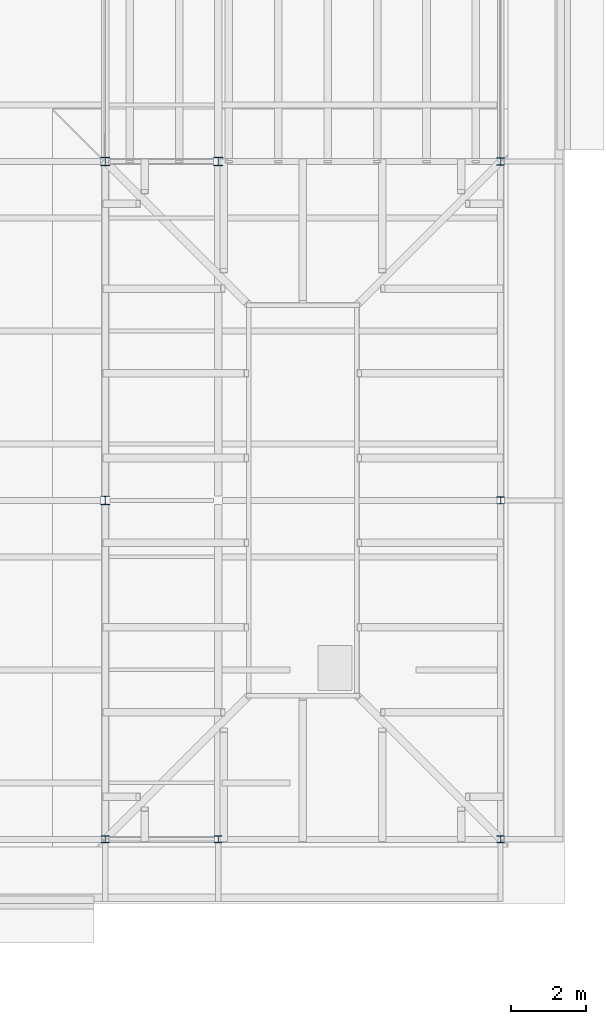
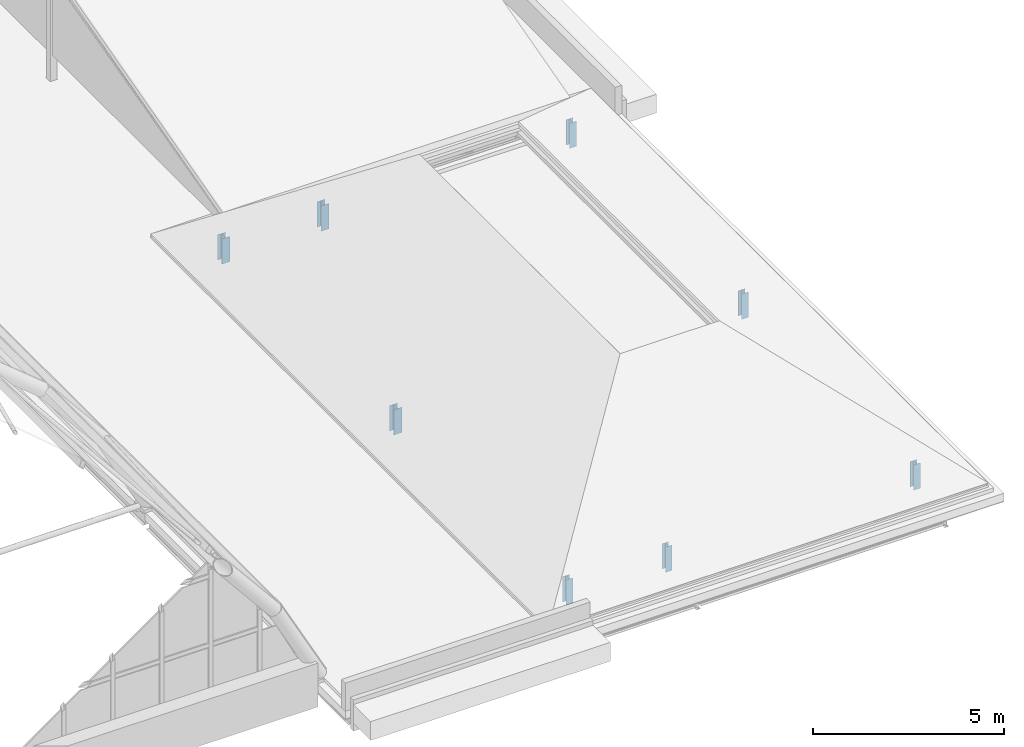
# One storey, part 13 of 121: 8 columns.
"""IFC4 building model written with IfcOpenShell, lengths in metres."""

from ifc_helpers import new_model, si_unit, direction, frame, origin, origin_2d, place, context, subcontext, project, spatial, i_section, extrude, material, material_profile, profile_set, type_object, element, save


model = new_model("IFC4")

# Units and contexts
model_context = context("Model", 3, precision=1e-05, world=origin(), true_north=direction((0.0, 1.0)))
body_context = subcontext(model_context, "Body", "Model", "MODEL_VIEW")
ifc_project = project(units=[si_unit("LENGTHUNIT", "METRE"), si_unit("AREAUNIT", "SQUARE_METRE"), si_unit("VOLUMEUNIT", "CUBIC_METRE"), si_unit("PLANEANGLEUNIT", "RADIAN"), si_unit("MASSUNIT", "GRAM", prefix="KILO")], contexts=[model_context])

# Site, building, storey
site_placement = place(None, origin())
site = spatial("IfcSite", under=ifc_project, at=site_placement, CompositionType="ELEMENT")
building_placement = place(site_placement, origin())
building = spatial("IfcBuilding", under=site, at=building_placement, Name="Golden Quay Civic Hall", CompositionType="ELEMENT")
storey_placement = place(building_placement, frame((0.0, 0.0, 18.60009765625)))
storey = spatial("IfcBuildingStorey", under=building, at=storey_placement, Name="L04", CompositionType="ELEMENT", Elevation=18.60009765625)

# Columns
ifc_material_1 = material(Name="Steel S355", Category="steel")
ifc_material_profile_1 = material_profile(ifc_material_1, i_section(OverallWidth=0.199951171875, OverallDepth=0.18994140625, WebThickness=0.006591796875, FlangeThickness=0.010009765625, FilletRadius=0.01806640625, at=origin_2d()), Name="HEA 200")
ifc_profile_set_1 = profile_set([ifc_material_profile_1], Name="Steel S355")
column_type_1 = type_object("IfcColumnType", Name="Steel roof post HEA 200", PredefinedType="COLUMN", material=ifc_profile_set_1)
for number, where, z_axis, x_axis, name in (
    (1, (106.5, 0.0, -0.25), (0.0, 0.0, 1.0), (1.0, 0.0, 0.0), "Roof post 106.5/0"),
    (2, (109.5, 0.0, -0.25), (0.0, 0.0, 1.0), (1.0, 0.0, 0.0), "Roof post 109.5/0"),
    (3, (117.0, 0.0, -0.25), (0.0, 0.0, 1.0), (1.0, 0.0, 0.0), "Roof post 117/0"),
    (4, (117.0, 9.0, -0.25), (0.0, 0.0, 1.0), (1.0, 0.0, 0.0), "Roof post 117/9"),
    (5, (117.0, 18.0, -0.25), (0.0, 0.0, 1.0), (1.0, 0.0, 0.0), "Roof post 117/18"),
):
    element("IfcColumn", number, at=place(storey_placement, frame(where, z_axis=z_axis, x_axis=x_axis)), inside=storey, type_object=column_type_1, Name=name, PredefinedType="COLUMN", context=body_context, shape_type="SweptSolid", body=[
        extrude(i_section(OverallWidth=0.199951171875, OverallDepth=0.18994140625, WebThickness=0.006591796875, FlangeThickness=0.010009765625, FilletRadius=0.01806640625, at=origin_2d()), origin(), (0.0, 0.0, 1.0), 0.804931640625),
    ])
ifc_material_2 = material(Name="Steel S355", Category="steel")
ifc_material_profile_2 = material_profile(ifc_material_2, i_section(OverallWidth=0.239990234375, OverallDepth=0.22998046875, WebThickness=0.007568359375, FlangeThickness=0.011962890625, FilletRadius=0.02099609375, at=origin_2d()), Name="HEA 240")
ifc_profile_set_2 = profile_set([ifc_material_profile_2], Name="Steel S355")
column_type_2 = type_object("IfcColumnType", Name="Steel roof post HEA 240", PredefinedType="COLUMN", material=ifc_profile_set_2)
for number, where, z_axis, x_axis, name in (
    (6, (106.5, 9.0, -0.25), (0.0, 0.0, 1.0), (1.0, 0.0, 0.0), "Roof post 106.5/9"),
    (7, (106.5, 18.0, -0.25), (0.0, 0.0, 1.0), (1.0, 0.0, 0.0), "Roof post 106.5/18"),
    (8, (109.5, 18.0, -0.25), (0.0, 0.0, 1.0), (1.0, 0.0, 0.0), "Roof post 109.5/18"),
):
    element("IfcColumn", number, at=place(storey_placement, frame(where, z_axis=z_axis, x_axis=x_axis)), inside=storey, type_object=column_type_2, Name=name, PredefinedType="COLUMN", context=body_context, shape_type="SweptSolid", body=[
        extrude(i_section(OverallWidth=0.239990234375, OverallDepth=0.22998046875, WebThickness=0.007568359375, FlangeThickness=0.011962890625, FilletRadius=0.02099609375, at=origin_2d()), origin(), (0.0, 0.0, 1.0), 0.804931640625),
    ])

save(model, "model.ifc")
